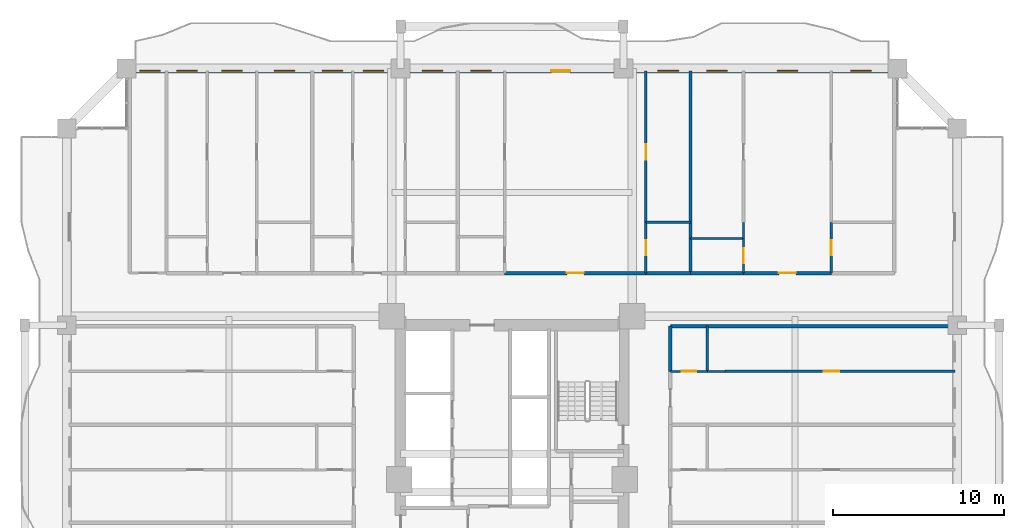
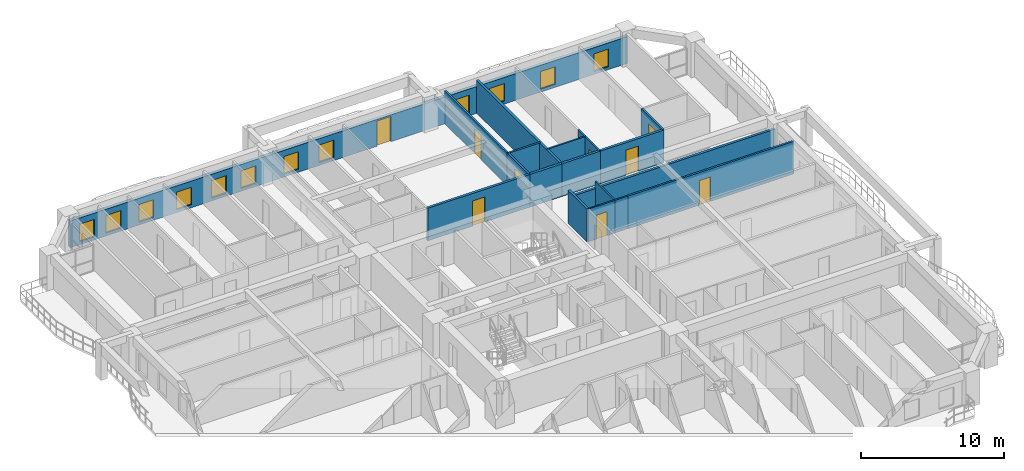
# One storey, part 20 of 28: 19 walls, 12 windows, 9 doors, 21 openings.
"""IFC4 building model written with IfcOpenShell, lengths in metres."""

from ifc_helpers import new_model, si_unit, direction, frame, frame_2d, origin, place, context, subcontext, project, spatial, rectangle, extrude, source, transform, mapped, material, layer, layer_set, type_object, element, fill, save


model = new_model("IFC4")

# Units and contexts
model_context = context("Model", 3, precision=1e-05, world=origin(), true_north=direction((0.0, 1.0)))
body_context = subcontext(model_context, "Body", "Model", "MODEL_VIEW")
ifc_project = project(units=[si_unit("LENGTHUNIT", "METRE"), si_unit("AREAUNIT", "SQUARE_METRE"), si_unit("VOLUMEUNIT", "CUBIC_METRE"), si_unit("PLANEANGLEUNIT", "RADIAN"), si_unit("MASSUNIT", "GRAM", prefix="KILO")], contexts=[model_context])

# Site, building, storey
site_placement = place(None, origin())
site = spatial("IfcSite", under=ifc_project, at=site_placement, CompositionType="ELEMENT")
building_placement = place(site_placement, origin())
building = spatial("IfcBuilding", under=site, at=building_placement, Name="Saelheon Loggia Tower", CompositionType="ELEMENT")
storey_placement = place(building_placement, frame((0.0, 0.0, 61.39990234375)))
storey = spatial("IfcBuildingStorey", under=building, at=storey_placement, Name="L19", CompositionType="ELEMENT", Elevation=61.39990234375)

# Wall, openings, windows, door
ifc_material_1 = material(Name="Architectural Precast Concrete C40/50", Category="concrete")
ifc_layer_1 = layer(ifc_material_1, 0.280029296875)
ifc_layer_set_1 = layer_set([ifc_layer_1], Name="Architectural Precast Concrete C40/50")
wall_type_1 = type_object("IfcWallType", Name="Wall_Ext_Loggia_280", PredefinedType="SOLIDWALL", material=ifc_layer_set_1)
wall_1_placement = place(storey_placement, frame((15.5, 50.860107421875, 0.0), z_axis=(0.0, 0.0, 1.0), x_axis=(1.0, 0.0, 0.0)))
wall_1 = element("IfcWall", 1, at=wall_1_placement, inside=storey, type_object=wall_type_1, Name="L19 North Loggia Inner Wall", PredefinedType="SOLIDWALL", context=body_context, shape_type="SweptSolid", body=[
    extrude(rectangle(XDim=45.0, YDim=0.280029296875, at=frame_2d((22.5, 0.0))), origin(), (0.0, 0.0, 1.0), 2.280029296875),
])
opening_1_placement = place(wall_1_placement, frame((0.760009765625, 0.0, 0.25)))
opening_1 = element("IfcOpeningElement", 2, at=opening_1_placement, cuts=wall_1, Name="Opening WN-03", PredefinedType="OPENING", context=body_context, shape_type="SweptSolid", body=[
    extrude(rectangle(XDim=1.199951171875, YDim=1.5, at=frame_2d((0.60009765625, 0.75))), frame((0.0, 0.152099609375, 0.0), z_axis=(0.0, -1.0, 0.0), x_axis=(1.0, 0.0, 0.0)), (0.0, 0.0, 1.0), 0.303955078125),
])
opening_2_placement = place(wall_1_placement, frame((2.919677734375, 0.0, 0.25)))
opening_2 = element("IfcOpeningElement", 3, at=opening_2_placement, cuts=wall_1, Name="Opening WN-03", PredefinedType="OPENING", context=body_context, shape_type="SweptSolid", body=[
    extrude(rectangle(XDim=1.199951171875, YDim=1.5, at=frame_2d((0.60009765625, 0.75))), frame((0.0, 0.152099609375, 0.0), z_axis=(0.0, -1.0, 0.0), x_axis=(1.0, 0.0, 0.0)), (0.0, 0.0, 1.0), 0.303955078125),
])
opening_3_placement = place(wall_1_placement, frame((5.55419921875, 0.0, 0.25)))
opening_3 = element("IfcOpeningElement", 4, at=opening_3_placement, cuts=wall_1, Name="Opening WN-03", PredefinedType="OPENING", context=body_context, shape_type="SweptSolid", body=[
    extrude(rectangle(XDim=1.199951171875, YDim=1.5, at=frame_2d((0.60009765625, 0.75))), frame((0.0, 0.152099609375, 0.0), z_axis=(0.0, -1.0, 0.0), x_axis=(1.0, 0.0, 0.0)), (0.0, 0.0, 1.0), 0.303955078125),
])
opening_4_placement = place(wall_1_placement, frame((8.61328125, 0.0, 0.25)))
opening_4 = element("IfcOpeningElement", 5, at=opening_4_placement, cuts=wall_1, Name="Opening WN-03", PredefinedType="OPENING", context=body_context, shape_type="SweptSolid", body=[
    extrude(rectangle(XDim=1.199951171875, YDim=1.5, at=frame_2d((0.60009765625, 0.75))), frame((0.0, 0.152099609375, 0.0), z_axis=(0.0, -1.0, 0.0), x_axis=(1.0, 0.0, 0.0)), (0.0, 0.0, 1.0), 0.303955078125),
])
opening_5_placement = place(wall_1_placement, frame((11.417724609375, 0.0, 0.25)))
opening_5 = element("IfcOpeningElement", 6, at=opening_5_placement, cuts=wall_1, Name="Opening WN-03", PredefinedType="OPENING", context=body_context, shape_type="SweptSolid", body=[
    extrude(rectangle(XDim=1.199951171875, YDim=1.5, at=frame_2d((0.60009765625, 0.75))), frame((0.0, 0.152099609375, 0.0), z_axis=(0.0, -1.0, 0.0), x_axis=(1.0, 0.0, 0.0)), (0.0, 0.0, 1.0), 0.303955078125),
])
opening_6_placement = place(wall_1_placement, frame((13.80859375, 0.0, 0.25)))
opening_6 = element("IfcOpeningElement", 7, at=opening_6_placement, cuts=wall_1, Name="Opening WN-03", PredefinedType="OPENING", context=body_context, shape_type="SweptSolid", body=[
    extrude(rectangle(XDim=1.199951171875, YDim=1.5, at=frame_2d((0.60009765625, 0.75))), frame((0.0, 0.152099609375, 0.0), z_axis=(0.0, -1.0, 0.0), x_axis=(1.0, 0.0, 0.0)), (0.0, 0.0, 1.0), 0.303955078125),
])
opening_7_placement = place(wall_1_placement, frame((17.258056640625, 0.0, 0.25)))
opening_7 = element("IfcOpeningElement", 8, at=opening_7_placement, cuts=wall_1, Name="Opening WN-03", PredefinedType="OPENING", context=body_context, shape_type="SweptSolid", body=[
    extrude(rectangle(XDim=1.199951171875, YDim=1.5, at=frame_2d((0.60009765625, 0.75))), frame((0.0, 0.152099609375, 0.0), z_axis=(0.0, -1.0, 0.0), x_axis=(1.0, 0.0, 0.0)), (0.0, 0.0, 1.0), 0.303955078125),
])
opening_8_placement = place(wall_1_placement, frame((20.10107421875, 0.0, 0.25)))
opening_8 = element("IfcOpeningElement", 9, at=opening_8_placement, cuts=wall_1, Name="Opening WN-03", PredefinedType="OPENING", context=body_context, shape_type="SweptSolid", body=[
    extrude(rectangle(XDim=1.199951171875, YDim=1.5, at=frame_2d((0.60009765625, 0.75))), frame((0.0, 0.152099609375, 0.0), z_axis=(0.0, -1.0, 0.0), x_axis=(1.0, 0.0, 0.0)), (0.0, 0.0, 1.0), 0.303955078125),
])
opening_9_placement = place(wall_1_placement, frame((24.79296875, 0.0, 0.0)))
opening_9 = element("IfcOpeningElement", 10, at=opening_9_placement, cuts=wall_1, Name="Opening TD1", PredefinedType="OPENING", context=body_context, shape_type="SweptSolid", body=[
    extrude(rectangle(XDim=1.10009765625, YDim=2.14990234375, at=frame_2d((0.550048828125, 1.074951171875))), frame((0.0, 0.152099609375, 0.0), z_axis=(0.0, -1.0, 0.0), x_axis=(1.0, 0.0, 0.0)), (0.0, 0.0, 1.0), 0.303955078125),
])
opening_10_placement = place(wall_1_placement, frame((31.021484375, 0.0, 0.25)))
opening_10 = element("IfcOpeningElement", 11, at=opening_10_placement, cuts=wall_1, Name="Opening WN-03", PredefinedType="OPENING", context=body_context, shape_type="SweptSolid", body=[
    extrude(rectangle(XDim=1.199951171875, YDim=1.5, at=frame_2d((0.60009765625, 0.75))), frame((0.0, 0.152099609375, 0.0), z_axis=(0.0, -1.0, 0.0), x_axis=(1.0, 0.0, 0.0)), (0.0, 0.0, 1.0), 0.303955078125),
])
opening_11_placement = place(wall_1_placement, frame((33.869384765625, 0.0, 0.25)))
opening_11 = element("IfcOpeningElement", 12, at=opening_11_placement, cuts=wall_1, Name="Opening WN-03", PredefinedType="OPENING", context=body_context, shape_type="SweptSolid", body=[
    extrude(rectangle(XDim=1.199951171875, YDim=1.5, at=frame_2d((0.60009765625, 0.75))), frame((0.0, 0.152099609375, 0.0), z_axis=(0.0, -1.0, 0.0), x_axis=(1.0, 0.0, 0.0)), (0.0, 0.0, 1.0), 0.303955078125),
])
opening_12_placement = place(wall_1_placement, frame((37.979736328125, 0.0, 0.25)))
opening_12 = element("IfcOpeningElement", 13, at=opening_12_placement, cuts=wall_1, Name="Opening WN-03", PredefinedType="OPENING", context=body_context, shape_type="SweptSolid", body=[
    extrude(rectangle(XDim=1.199951171875, YDim=1.5, at=frame_2d((0.60009765625, 0.75))), frame((0.0, 0.152099609375, 0.0), z_axis=(0.0, -1.0, 0.0), x_axis=(1.0, 0.0, 0.0)), (0.0, 0.0, 1.0), 0.303955078125),
])
opening_13_placement = place(wall_1_placement, frame((42.276611328125, 0.0, 0.25)))
opening_13 = element("IfcOpeningElement", 14, at=opening_13_placement, cuts=wall_1, Name="Opening WN-03", PredefinedType="OPENING", context=body_context, shape_type="SweptSolid", body=[
    extrude(rectangle(XDim=1.199951171875, YDim=1.5, at=frame_2d((0.60009765625, 0.75))), frame((0.0, 0.152099609375, 0.0), z_axis=(0.0, -1.0, 0.0), x_axis=(1.0, 0.0, 0.0)), (0.0, 0.0, 1.0), 0.303955078125),
])
ifc_material_2 = material(Name="Thermal-Break Aluminium and Triple Low-E Glass", Category="aluminium")
window_type = type_object("IfcWindowType", Name="Win_Bedroom_1200x1500", PartitioningType="SINGLE_PANEL", PredefinedType="WINDOW", material=ifc_material_2)
shared_shape_1 = source(origin(), body_context, "Body", "SweptSolid", [
    extrude(rectangle(XDim=1.199951171875, YDim=1.5, at=frame_2d((0.60009765625, 0.75))), frame((0.0, 0.030029296875, 0.0), z_axis=(0.0, -1.0, 0.0), x_axis=(1.0, 0.0, 0.0)), (0.0, 0.0, 1.0), 0.06005859375),
])
window_1_placement = place(opening_1_placement, origin())
window_1 = element("IfcWindow", 15, at=window_1_placement, inside=storey, type_object=window_type, Name="L19 N Dwelling Window 1", OverallHeight=1.5, OverallWidth=1.199951171875, PartitioningType="SINGLE_PANEL", PredefinedType="WINDOW", context=body_context, shape_type="MappedRepresentation", body=[
    mapped(shared_shape_1, transform((0.0, 0.0, 0.0), scale=1.0)),
])
fill(opening_1, window_1)
window_2_placement = place(opening_2_placement, origin())
window_2 = element("IfcWindow", 16, at=window_2_placement, inside=storey, type_object=window_type, Name="L19 N Dwelling Window 2", OverallHeight=1.5, OverallWidth=1.199951171875, PartitioningType="SINGLE_PANEL", PredefinedType="WINDOW", context=body_context, shape_type="MappedRepresentation", body=[
    mapped(shared_shape_1, transform((0.0, 0.0, 0.0), scale=1.0)),
])
fill(opening_2, window_2)
window_3_placement = place(opening_3_placement, origin())
window_3 = element("IfcWindow", 17, at=window_3_placement, inside=storey, type_object=window_type, Name="L19 N Dwelling Window 3", OverallHeight=1.5, OverallWidth=1.199951171875, PartitioningType="SINGLE_PANEL", PredefinedType="WINDOW", context=body_context, shape_type="MappedRepresentation", body=[
    mapped(shared_shape_1, transform((0.0, 0.0, 0.0), scale=1.0)),
])
fill(opening_3, window_3)
window_4_placement = place(opening_4_placement, origin())
window_4 = element("IfcWindow", 18, at=window_4_placement, inside=storey, type_object=window_type, Name="L19 N Dwelling Window 4", OverallHeight=1.5, OverallWidth=1.199951171875, PartitioningType="SINGLE_PANEL", PredefinedType="WINDOW", context=body_context, shape_type="MappedRepresentation", body=[
    mapped(shared_shape_1, transform((0.0, 0.0, 0.0), scale=1.0)),
])
fill(opening_4, window_4)
window_5_placement = place(opening_5_placement, origin())
window_5 = element("IfcWindow", 19, at=window_5_placement, inside=storey, type_object=window_type, Name="L19 N Dwelling Window 5", OverallHeight=1.5, OverallWidth=1.199951171875, PartitioningType="SINGLE_PANEL", PredefinedType="WINDOW", context=body_context, shape_type="MappedRepresentation", body=[
    mapped(shared_shape_1, transform((0.0, 0.0, 0.0), scale=1.0)),
])
fill(opening_5, window_5)
window_6_placement = place(opening_6_placement, origin())
window_6 = element("IfcWindow", 20, at=window_6_placement, inside=storey, type_object=window_type, Name="L19 N Dwelling Window 6", OverallHeight=1.5, OverallWidth=1.199951171875, PartitioningType="SINGLE_PANEL", PredefinedType="WINDOW", context=body_context, shape_type="MappedRepresentation", body=[
    mapped(shared_shape_1, transform((0.0, 0.0, 0.0), scale=1.0)),
])
fill(opening_6, window_6)
window_7_placement = place(opening_7_placement, origin())
window_7 = element("IfcWindow", 21, at=window_7_placement, inside=storey, type_object=window_type, Name="L19 N Dwelling Window 7", OverallHeight=1.5, OverallWidth=1.199951171875, PartitioningType="SINGLE_PANEL", PredefinedType="WINDOW", context=body_context, shape_type="MappedRepresentation", body=[
    mapped(shared_shape_1, transform((0.0, 0.0, 0.0), scale=1.0)),
])
fill(opening_7, window_7)
window_8_placement = place(opening_8_placement, origin())
window_8 = element("IfcWindow", 22, at=window_8_placement, inside=storey, type_object=window_type, Name="L19 N Dwelling Window 8", OverallHeight=1.5, OverallWidth=1.199951171875, PartitioningType="SINGLE_PANEL", PredefinedType="WINDOW", context=body_context, shape_type="MappedRepresentation", body=[
    mapped(shared_shape_1, transform((0.0, 0.0, 0.0), scale=1.0)),
])
fill(opening_8, window_8)
window_9_placement = place(opening_10_placement, origin())
window_9 = element("IfcWindow", 23, at=window_9_placement, inside=storey, type_object=window_type, Name="L19 N Dwelling Window 10", OverallHeight=1.5, OverallWidth=1.199951171875, PartitioningType="SINGLE_PANEL", PredefinedType="WINDOW", context=body_context, shape_type="MappedRepresentation", body=[
    mapped(shared_shape_1, transform((0.0, 0.0, 0.0), scale=1.0)),
])
fill(opening_10, window_9)
window_10_placement = place(opening_11_placement, origin())
window_10 = element("IfcWindow", 24, at=window_10_placement, inside=storey, type_object=window_type, Name="L19 N Dwelling Window 11", OverallHeight=1.5, OverallWidth=1.199951171875, PartitioningType="SINGLE_PANEL", PredefinedType="WINDOW", context=body_context, shape_type="MappedRepresentation", body=[
    mapped(shared_shape_1, transform((0.0, 0.0, 0.0), scale=1.0)),
])
fill(opening_11, window_10)
window_11_placement = place(opening_12_placement, origin())
window_11 = element("IfcWindow", 25, at=window_11_placement, inside=storey, type_object=window_type, Name="L19 N Dwelling Window 12", OverallHeight=1.5, OverallWidth=1.199951171875, PartitioningType="SINGLE_PANEL", PredefinedType="WINDOW", context=body_context, shape_type="MappedRepresentation", body=[
    mapped(shared_shape_1, transform((0.0, 0.0, 0.0), scale=1.0)),
])
fill(opening_12, window_11)
window_12_placement = place(opening_13_placement, origin())
window_12 = element("IfcWindow", 26, at=window_12_placement, inside=storey, type_object=window_type, Name="L19 N Dwelling Window 13", OverallHeight=1.5, OverallWidth=1.199951171875, PartitioningType="SINGLE_PANEL", PredefinedType="WINDOW", context=body_context, shape_type="MappedRepresentation", body=[
    mapped(shared_shape_1, transform((0.0, 0.0, 0.0), scale=1.0)),
])
fill(opening_13, window_12)
ifc_material_3 = material(Name="Thermal-Break Aluminium Glazed Door", Category="aluminium")
door_type_1 = type_object("IfcDoorType", Name="Door_Terrace_TD1", OperationType="NOTDEFINED", PredefinedType="DOOR", material=ifc_material_3)
shared_shape_2 = source(origin(), body_context, "Body", "SweptSolid", [
    extrude(rectangle(XDim=1.10009765625, YDim=2.14990234375, at=frame_2d((0.550048828125, 1.074951171875))), frame((0.0, 0.02490234375, 0.0), z_axis=(0.0, -1.0, 0.0), x_axis=(1.0, 0.0, 0.0)), (0.0, 0.0, 1.0), 0.050048828125),
])
door_1_placement = place(opening_9_placement, origin())
door_1 = element("IfcDoor", 27, at=door_1_placement, inside=storey, type_object=door_type_1, Name="L19 N Loggia Access Door", OperationType="SINGLE_SWING_LEFT", OverallHeight=2.14990234375, OverallWidth=1.10009765625, PredefinedType="DOOR", context=body_context, shape_type="MappedRepresentation", body=[
    mapped(shared_shape_2, transform((0.0, 0.0, 0.0), scale=1.0)),
])
fill(opening_9, door_1)

# Wall
ifc_material_4 = material(Name="Lightweight Autoclaved Aerated Concrete Block and Acoustic Gypsum", Category="concrete")
ifc_layer_2 = layer(ifc_material_4, 0.14990234375)
ifc_layer_set_2 = layer_set([ifc_layer_2], Name="Lightweight Autoclaved Aerated Concrete Block and Acoustic Gypsum")
wall_type_2 = type_object("IfcWallType", Name="Wall_Part_150", PredefinedType="PARTITIONING", material=ifc_layer_set_2)
wall_2_placement = place(storey_placement, frame((45.820068359375, 42.010009765625, 0.0), z_axis=(0.0, 0.0, 1.0), x_axis=(1.0, 0.0, 0.0)))
element("IfcWall", 28, at=wall_2_placement, inside=storey, type_object=wall_type_2, Name="L19 N Partition V31", PredefinedType="PARTITIONING", context=body_context, shape_type="SweptSolid", body=[
    extrude(rectangle(XDim=2.602783203125, YDim=0.14990234375, at=frame_2d((1.30126953125, 0.0))), origin(), (0.0, 0.0, 1.0), 2.7900390625),
])

# Wall, opening, door
wall_3_placement = place(storey_placement, frame((45.820068359375, 39.050048828125, 0.0), z_axis=(0.0, 0.0, 1.0), x_axis=(0.0, 1.0, 0.0)))
wall_3 = element("IfcWall", 29, at=wall_3_placement, inside=storey, type_object=wall_type_2, Name="L19 N Partition U35", PredefinedType="PARTITIONING", context=body_context, shape_type="SweptSolid", body=[
    extrude(rectangle(XDim=2.9599609375, YDim=0.14990234375, at=frame_2d((1.47998046875, 0.0))), origin(), (0.0, 0.0, 1.0), 2.7900390625),
])
opening_14_placement = place(wall_3_placement, frame((1.030029296875, 0.0, 0.0)))
opening_14 = element("IfcOpeningElement", 30, at=opening_14_placement, cuts=wall_3, Name="Opening D-IN2", PredefinedType="OPENING", context=body_context, shape_type="SweptSolid", body=[
    extrude(rectangle(XDim=0.89990234375, YDim=2.10009765625, at=frame_2d((0.449951171875, 1.050048828125))), frame((0.0, 0.0869140625, 0.0), z_axis=(0.0, -1.0, 0.0), x_axis=(1.0, 0.0, 0.0)), (0.0, 0.0, 1.0), 0.173828125),
])
ifc_material_5 = material(Name="Engineered Oak Flush Door", Category="timber")
door_type_2 = type_object("IfcDoorType", Name="Door_Int_900", OperationType="NOTDEFINED", PredefinedType="DOOR", material=ifc_material_5)
shared_shape_3 = source(origin(), body_context, "Body", "SweptSolid", [
    extrude(rectangle(XDim=0.89990234375, YDim=2.10009765625, at=frame_2d((0.449951171875, 1.050048828125))), frame((0.0, 0.02490234375, 0.0), z_axis=(0.0, -1.0, 0.0), x_axis=(1.0, 0.0, 0.0)), (0.0, 0.0, 1.0), 0.050048828125),
])
door_2_placement = place(opening_14_placement, origin())
door_2 = element("IfcDoor", 31, at=door_2_placement, inside=storey, type_object=door_type_2, Name="Unit U08 Dressing Closet Door", OperationType="SINGLE_SWING_RIGHT", OverallHeight=2.10009765625, OverallWidth=0.89990234375, PredefinedType="DOOR", context=body_context, shape_type="MappedRepresentation", body=[
    mapped(shared_shape_3, transform((0.0, 0.0, 0.0), scale=1.0)),
])
fill(opening_14, door_2)

wall_4_placement = place(storey_placement, frame((45.820068359375, 42.010009765625, 0.0), z_axis=(0.0, 0.0, 1.0), x_axis=(0.0, 1.0, 0.0)))
wall_4 = element("IfcWall", 32, at=wall_4_placement, inside=storey, type_object=wall_type_2, Name="L19 N Partition U36", PredefinedType="PARTITIONING", context=body_context, shape_type="SweptSolid", body=[
    extrude(rectangle(XDim=8.840087890625, YDim=0.14990234375, at=frame_2d((4.419921875, 0.0))), origin(), (0.0, 0.0, 1.0), 2.7900390625),
])
opening_15_placement = place(wall_4_placement, frame((3.6591796875, 0.0, 0.0)))
opening_15 = element("IfcOpeningElement", 33, at=opening_15_placement, cuts=wall_4, Name="Opening D-IN2", PredefinedType="OPENING", context=body_context, shape_type="SweptSolid", body=[
    extrude(rectangle(XDim=0.89990234375, YDim=2.10009765625, at=frame_2d((0.449951171875, 1.050048828125))), frame((0.0, 0.0869140625, 0.0), z_axis=(0.0, -1.0, 0.0), x_axis=(1.0, 0.0, 0.0)), (0.0, 0.0, 1.0), 0.173828125),
])
door_3_placement = place(opening_15_placement, origin())
door_3 = element("IfcDoor", 34, at=door_3_placement, inside=storey, type_object=door_type_2, Name="Unit U08 Bedroom 1 Door", OperationType="SINGLE_SWING_LEFT", OverallHeight=2.10009765625, OverallWidth=0.89990234375, PredefinedType="DOOR", context=body_context, shape_type="MappedRepresentation", body=[
    mapped(shared_shape_3, transform((0.0, 0.0, 0.0), scale=1.0)),
])
fill(opening_15, door_3)

wall_5_placement = place(storey_placement, frame((56.6435546875, 39.050048828125, 0.0), z_axis=(0.0, 0.0, 1.0), x_axis=(0.0, 1.0, 0.0)))
wall_5 = element("IfcWall", 35, at=wall_5_placement, inside=storey, type_object=wall_type_2, Name="L19 N Partition U46", PredefinedType="PARTITIONING", context=body_context, shape_type="SweptSolid", body=[
    extrude(rectangle(XDim=2.9599609375, YDim=0.14990234375, at=frame_2d((1.47998046875, 0.0))), origin(), (0.0, 0.0, 1.0), 2.7900390625),
])
opening_16_placement = place(wall_5_placement, frame((1.030029296875, 0.0, 0.0)))
opening_16 = element("IfcOpeningElement", 36, at=opening_16_placement, cuts=wall_5, Name="Opening D-IN2", PredefinedType="OPENING", context=body_context, shape_type="SweptSolid", body=[
    extrude(rectangle(XDim=0.89990234375, YDim=2.10009765625, at=frame_2d((0.449951171875, 1.050048828125))), frame((0.0, 0.0869140625, 0.0), z_axis=(0.0, -1.0, 0.0), x_axis=(1.0, 0.0, 0.0)), (0.0, 0.0, 1.0), 0.173828125),
])
door_4_placement = place(opening_16_placement, origin())
door_4 = element("IfcDoor", 37, at=door_4_placement, inside=storey, type_object=door_type_2, Name="Unit U09 Kitchen Door", OperationType="SINGLE_SWING_LEFT", OverallHeight=2.10009765625, OverallWidth=0.89990234375, PredefinedType="DOOR", context=body_context, shape_type="MappedRepresentation", body=[
    mapped(shared_shape_3, transform((0.0, 0.0, 0.0), scale=1.0)),
])
fill(opening_16, door_4)

wall_6_placement = place(storey_placement, frame((50.449951171875, 33.307861328125, 0.0), z_axis=(0.0, 0.0, 1.0), x_axis=(1.0, 0.0, 0.0)))
wall_6 = element("IfcWall", 38, at=wall_6_placement, inside=storey, type_object=wall_type_2, Name="L19 E Partition U24", PredefinedType="PARTITIONING", context=body_context, shape_type="SweptSolid", body=[
    extrude(rectangle(XDim=13.400146484375, YDim=0.14990234375, at=frame_2d((6.7001953125, 0.0))), origin(), (0.0, 0.0, 1.0), 2.7900390625),
])
opening_17_placement = place(wall_6_placement, frame((5.749267578125, 0.0, 0.0)))
opening_17 = element("IfcOpeningElement", 39, at=opening_17_placement, cuts=wall_6, Name="Opening D-IN2", PredefinedType="OPENING", context=body_context, shape_type="SweptSolid", body=[
    extrude(rectangle(XDim=0.89990234375, YDim=2.10009765625, at=frame_2d((0.449951171875, 1.050048828125))), frame((0.0, 0.0869140625, 0.0), z_axis=(0.0, -1.0, 0.0), x_axis=(1.0, 0.0, 0.0)), (0.0, 0.0, 1.0), 0.173828125),
])
door_5_placement = place(opening_17_placement, origin())
door_5 = element("IfcDoor", 40, at=door_5_placement, inside=storey, type_object=door_type_2, Name="Unit U15 Kitchen Door", OperationType="SINGLE_SWING_RIGHT", OverallHeight=2.10009765625, OverallWidth=0.89990234375, PredefinedType="DOOR", context=body_context, shape_type="MappedRepresentation", body=[
    mapped(shared_shape_3, transform((0.0, 0.0, 0.0), scale=1.0)),
])
fill(opening_17, door_5)

ifc_material_6 = material(Name="Double Acoustic Stud and Fireboard Partition", Category="gypsum")
ifc_layer_3 = layer(ifc_material_6, 0.199951171875)
ifc_layer_set_3 = layer_set([ifc_layer_3], Name="Double Acoustic Stud and Fireboard Partition")
wall_type_3 = type_object("IfcWallType", Name="Wall_Party_200", PredefinedType="PARTITIONING", material=ifc_layer_set_3)
wall_7_placement = place(storey_placement, frame((37.575927734375, 39.050048828125, 0.0), z_axis=(0.0, 0.0, 1.0), x_axis=(1.0, 0.0, 0.0)))
wall_7 = element("IfcWall", 41, at=wall_7_placement, inside=storey, type_object=wall_type_3, Name="L19 N Partition V28", PredefinedType="PARTITIONING", context=body_context, shape_type="SweptSolid", body=[
    extrude(rectangle(XDim=8.244140625, YDim=0.199951171875, at=frame_2d((4.1220703125, 0.0))), origin(), (0.0, 0.0, 1.0), 2.7900390625),
])
opening_18_placement = place(wall_7_placement, frame((3.6220703125, 0.0, 0.0)))
opening_18 = element("IfcOpeningElement", 42, at=opening_18_placement, cuts=wall_7, Name="Opening D-FD1", PredefinedType="OPENING", context=body_context, shape_type="SweptSolid", body=[
    extrude(rectangle(XDim=1.0, YDim=2.14990234375, at=frame_2d((0.5, 1.074951171875))), frame((0.0, 0.112060546875, 0.0), z_axis=(0.0, -1.0, 0.0), x_axis=(1.0, 0.0, 0.0)), (0.0, 0.0, 1.0), 0.223876953125),
])
ifc_material_7 = material(Name="Fire-Rated Engineered Timber Entrance Door", Category="wood")
door_type_3 = type_object("IfcDoorType", Name="Door_Flat_FD30S", OperationType="NOTDEFINED", PredefinedType="DOOR", material=ifc_material_7)
shared_shape_4 = source(origin(), body_context, "Body", "SweptSolid", [
    extrude(rectangle(XDim=1.0, YDim=2.14990234375, at=frame_2d((0.5, 1.074951171875))), frame((0.0, 0.02490234375, 0.0), z_axis=(0.0, -1.0, 0.0), x_axis=(1.0, 0.0, 0.0)), (0.0, 0.0, 1.0), 0.050048828125),
])
door_6_placement = place(opening_18_placement, origin())
door_6 = element("IfcDoor", 43, at=door_6_placement, inside=storey, type_object=door_type_3, Name="Unit U08 Entrance Door", OperationType="SINGLE_SWING_LEFT", OverallHeight=2.14990234375, OverallWidth=1.0, PredefinedType="DOOR", context=body_context, shape_type="MappedRepresentation", body=[
    mapped(shared_shape_4, transform((0.0, 0.0, 0.0), scale=1.0)),
])
fill(opening_18, door_6)

# Walls
wall_8_placement = place(storey_placement, frame((45.820068359375, 39.050048828125, 0.0), z_axis=(0.0, 0.0, 1.0), x_axis=(1.0, 0.0, 0.0)))
element("IfcWall", 44, at=wall_8_placement, inside=storey, type_object=wall_type_3, Name="L19 N Partition V29", PredefinedType="PARTITIONING", context=body_context, shape_type="SweptSolid", body=[
    extrude(rectangle(XDim=2.602783203125, YDim=0.199951171875, at=frame_2d((1.30126953125, 0.0))), origin(), (0.0, 0.0, 1.0), 2.7900390625),
])
wall_9_placement = place(storey_placement, frame((48.4228515625, 39.050048828125, 0.0), z_axis=(0.0, 0.0, 1.0), x_axis=(0.0, 1.0, 0.0)))
element("IfcWall", 45, at=wall_9_placement, inside=storey, type_object=wall_type_3, Name="L19 N Partition U37", PredefinedType="PARTITIONING", context=body_context, shape_type="SweptSolid", body=[
    extrude(rectangle(XDim=11.800048828125, YDim=0.199951171875, at=frame_2d((5.89990234375, 0.0))), origin(), (0.0, 0.0, 1.0), 2.7900390625),
])
wall_10_placement = place(storey_placement, frame((48.4228515625, 39.050048828125, 0.0), z_axis=(0.0, 0.0, 1.0), x_axis=(1.0, 0.0, 0.0)))
element("IfcWall", 46, at=wall_10_placement, inside=storey, type_object=wall_type_3, Name="L19 N Partition V38", PredefinedType="PARTITIONING", context=body_context, shape_type="SweptSolid", body=[
    extrude(rectangle(XDim=3.09326171875, YDim=0.199951171875, at=frame_2d((1.546630859375, 0.0))), origin(), (0.0, 0.0, 1.0), 2.7900390625),
])

# Wall, opening, door
wall_11_placement = place(storey_placement, frame((51.51611328125, 39.050048828125, 0.0), z_axis=(0.0, 0.0, 1.0), x_axis=(1.0, 0.0, 0.0)))
wall_11 = element("IfcWall", 47, at=wall_11_placement, inside=storey, type_object=wall_type_3, Name="L19 N Partition V39", PredefinedType="PARTITIONING", context=body_context, shape_type="SweptSolid", body=[
    extrude(rectangle(XDim=5.12744140625, YDim=0.199951171875, at=frame_2d((2.563720703125, 0.0))), origin(), (0.0, 0.0, 1.0), 2.7900390625),
])
opening_19_placement = place(wall_11_placement, frame((2.063720703125, 0.0, 0.0)))
opening_19 = element("IfcOpeningElement", 48, at=opening_19_placement, cuts=wall_11, Name="Opening D-FD1", PredefinedType="OPENING", context=body_context, shape_type="SweptSolid", body=[
    extrude(rectangle(XDim=1.0, YDim=2.14990234375, at=frame_2d((0.5, 1.074951171875))), frame((0.0, 0.112060546875, 0.0), z_axis=(0.0, -1.0, 0.0), x_axis=(1.0, 0.0, 0.0)), (0.0, 0.0, 1.0), 0.223876953125),
])
door_7_placement = place(opening_19_placement, origin())
door_7 = element("IfcDoor", 49, at=door_7_placement, inside=storey, type_object=door_type_3, Name="Unit U09 Entrance Door", OperationType="SINGLE_SWING_RIGHT", OverallHeight=2.14990234375, OverallWidth=1.0, PredefinedType="DOOR", context=body_context, shape_type="MappedRepresentation", body=[
    mapped(shared_shape_4, transform((0.0, 0.0, 0.0), scale=1.0)),
])
fill(opening_19, door_7)

# Walls
wall_12_placement = place(storey_placement, frame((47.25, 35.949951171875, 0.0), z_axis=(0.0, 0.0, 1.0), x_axis=(1.0, 0.0, 0.0)))
element("IfcWall", 50, at=wall_12_placement, inside=storey, type_object=wall_type_3, Name="L19 E Partition U02", PredefinedType="PARTITIONING", context=body_context, shape_type="SweptSolid", body=[
    extrude(rectangle(XDim=16.60009765625, YDim=0.199951171875, at=frame_2d((8.300048828125, 0.0))), origin(), (0.0, 0.0, 1.0), 2.239990234375),
])
wall_13_placement = place(storey_placement, frame((47.25, 33.307861328125, 0.0), z_axis=(0.0, 0.0, 1.0), x_axis=(0.0, 1.0, 0.0)))
element("IfcWall", 51, at=wall_13_placement, inside=storey, type_object=wall_type_3, Name="L19 E Partition V20", PredefinedType="PARTITIONING", context=body_context, shape_type="SweptSolid", body=[
    extrude(rectangle(XDim=2.64208984375, YDim=0.199951171875, at=frame_2d((1.321044921875, 0.0))), origin(), (0.0, 0.0, 1.0), 2.7900390625),
])
ifc_material_8 = material(Name="Moisture-Resistant Cement Board Partition", Category="gypsum")
ifc_layer_4 = layer(ifc_material_8, 0.1201171875)
ifc_layer_set_4 = layer_set([ifc_layer_4], Name="Moisture-Resistant Cement Board Partition")
wall_type_4 = type_object("IfcWallType", Name="Wall_WetPart_120", PredefinedType="PARTITIONING", material=ifc_layer_set_4)
wall_14_placement = place(storey_placement, frame((48.4228515625, 41.070068359375, 0.0), z_axis=(0.0, 0.0, 1.0), x_axis=(1.0, 0.0, 0.0)))
element("IfcWall", 52, at=wall_14_placement, inside=storey, type_object=wall_type_4, Name="L19 N Partition V41", PredefinedType="PARTITIONING", context=body_context, shape_type="SweptSolid", body=[
    extrude(rectangle(XDim=3.09326171875, YDim=0.1201171875, at=frame_2d((1.546630859375, 0.0))), origin(), (0.0, 0.0, 1.0), 2.7900390625),
])

# Wall, opening, door
wall_15_placement = place(storey_placement, frame((51.51611328125, 39.050048828125, 0.0), z_axis=(0.0, 0.0, 1.0), x_axis=(0.0, 1.0, 0.0)))
wall_15 = element("IfcWall", 53, at=wall_15_placement, inside=storey, type_object=wall_type_4, Name="L19 N Partition U43", PredefinedType="PARTITIONING", context=body_context, shape_type="SweptSolid", body=[
    extrude(rectangle(XDim=2.02001953125, YDim=0.1201171875, at=frame_2d((1.010009765625, 0.0))), origin(), (0.0, 0.0, 1.0), 2.7900390625),
])
opening_20_placement = place(wall_15_placement, frame((0.5849609375, 0.0, 0.0)))
opening_20 = element("IfcOpeningElement", 54, at=opening_20_placement, cuts=wall_15, Name="Opening D-BT1", PredefinedType="OPENING", context=body_context, shape_type="SweptSolid", body=[
    extrude(rectangle(XDim=0.85009765625, YDim=2.050048828125, at=frame_2d((0.425048828125, 1.02490234375))), frame((0.0, 0.072021484375, 0.0), z_axis=(0.0, -1.0, 0.0), x_axis=(1.0, 0.0, 0.0)), (0.0, 0.0, 1.0), 0.14404296875),
])
ifc_material_9 = material(Name="Moisture-Resistant Laminate Timber Door", Category="wood")
door_type_4 = type_object("IfcDoorType", Name="Door_Bath_850", OperationType="NOTDEFINED", PredefinedType="DOOR", material=ifc_material_9)
shared_shape_5 = source(origin(), body_context, "Body", "SweptSolid", [
    extrude(rectangle(XDim=0.85009765625, YDim=2.050048828125, at=frame_2d((0.425048828125, 1.02490234375))), frame((0.0, 0.02490234375, 0.0), z_axis=(0.0, -1.0, 0.0), x_axis=(1.0, 0.0, 0.0)), (0.0, 0.0, 1.0), 0.050048828125),
])
door_8_placement = place(opening_20_placement, origin())
door_8 = element("IfcDoor", 55, at=door_8_placement, inside=storey, type_object=door_type_4, Name="Unit U09 Bathroom Door", OperationType="SINGLE_SWING_LEFT", OverallHeight=2.050048828125, OverallWidth=0.85009765625, PredefinedType="DOOR", context=body_context, shape_type="MappedRepresentation", body=[
    mapped(shared_shape_5, transform((0.0, 0.0, 0.0), scale=1.0)),
])
fill(opening_20, door_8)

# Wall
wall_16_placement = place(storey_placement, frame((51.51611328125, 41.070068359375, 0.0), z_axis=(0.0, 0.0, 1.0), x_axis=(0.0, 1.0, 0.0)))
element("IfcWall", 56, at=wall_16_placement, inside=storey, type_object=wall_type_4, Name="L19 N Partition U44", PredefinedType="PARTITIONING", context=body_context, shape_type="SweptSolid", body=[
    extrude(rectangle(XDim=0.93994140625, YDim=0.1201171875, at=frame_2d((0.469970703125, 0.0))), origin(), (0.0, 0.0, 1.0), 2.7900390625),
])

# Wall, opening, door
wall_17_placement = place(storey_placement, frame((47.25, 33.307861328125, 0.0), z_axis=(0.0, 0.0, 1.0), x_axis=(1.0, 0.0, 0.0)))
wall_17 = element("IfcWall", 57, at=wall_17_placement, inside=storey, type_object=wall_type_4, Name="L19 E Partition U21", PredefinedType="PARTITIONING", context=body_context, shape_type="SweptSolid", body=[
    extrude(rectangle(XDim=2.14990234375, YDim=0.1201171875, at=frame_2d((1.074951171875, 0.0))), origin(), (0.0, 0.0, 1.0), 2.7900390625),
])
opening_21_placement = place(wall_17_placement, frame((0.64990234375, 0.0, 0.0)))
opening_21 = element("IfcOpeningElement", 58, at=opening_21_placement, cuts=wall_17, Name="Opening D-BT1", PredefinedType="OPENING", context=body_context, shape_type="SweptSolid", body=[
    extrude(rectangle(XDim=0.85009765625, YDim=2.050048828125, at=frame_2d((0.425048828125, 1.02490234375))), frame((0.0, 0.072021484375, 0.0), z_axis=(0.0, -1.0, 0.0), x_axis=(1.0, 0.0, 0.0)), (0.0, 0.0, 1.0), 0.14404296875),
])
door_9_placement = place(opening_21_placement, origin())
door_9 = element("IfcDoor", 59, at=door_9_placement, inside=storey, type_object=door_type_4, Name="Unit U15 Bathroom Door", OperationType="SINGLE_SWING_LEFT", OverallHeight=2.050048828125, OverallWidth=0.85009765625, PredefinedType="DOOR", context=body_context, shape_type="MappedRepresentation", body=[
    mapped(shared_shape_5, transform((0.0, 0.0, 0.0), scale=1.0)),
])
fill(opening_21, door_9)

# Walls
wall_18_placement = place(storey_placement, frame((49.39990234375, 33.307861328125, 0.0), z_axis=(0.0, 0.0, 1.0), x_axis=(1.0, 0.0, 0.0)))
element("IfcWall", 60, at=wall_18_placement, inside=storey, type_object=wall_type_4, Name="L19 E Partition U22", PredefinedType="PARTITIONING", context=body_context, shape_type="SweptSolid", body=[
    extrude(rectangle(XDim=1.050048828125, YDim=0.1201171875, at=frame_2d((0.52490234375, 0.0))), origin(), (0.0, 0.0, 1.0), 2.7900390625),
])
wall_19_placement = place(storey_placement, frame((49.39990234375, 33.307861328125, 0.0), z_axis=(0.0, 0.0, 1.0), x_axis=(0.0, 1.0, 0.0)))
element("IfcWall", 61, at=wall_19_placement, inside=storey, type_object=wall_type_4, Name="L19 E Partition V23", PredefinedType="PARTITIONING", context=body_context, shape_type="SweptSolid", body=[
    extrude(rectangle(XDim=2.64208984375, YDim=0.1201171875, at=frame_2d((1.321044921875, 0.0))), origin(), (0.0, 0.0, 1.0), 2.7900390625),
])

save(model, "model.ifc")
